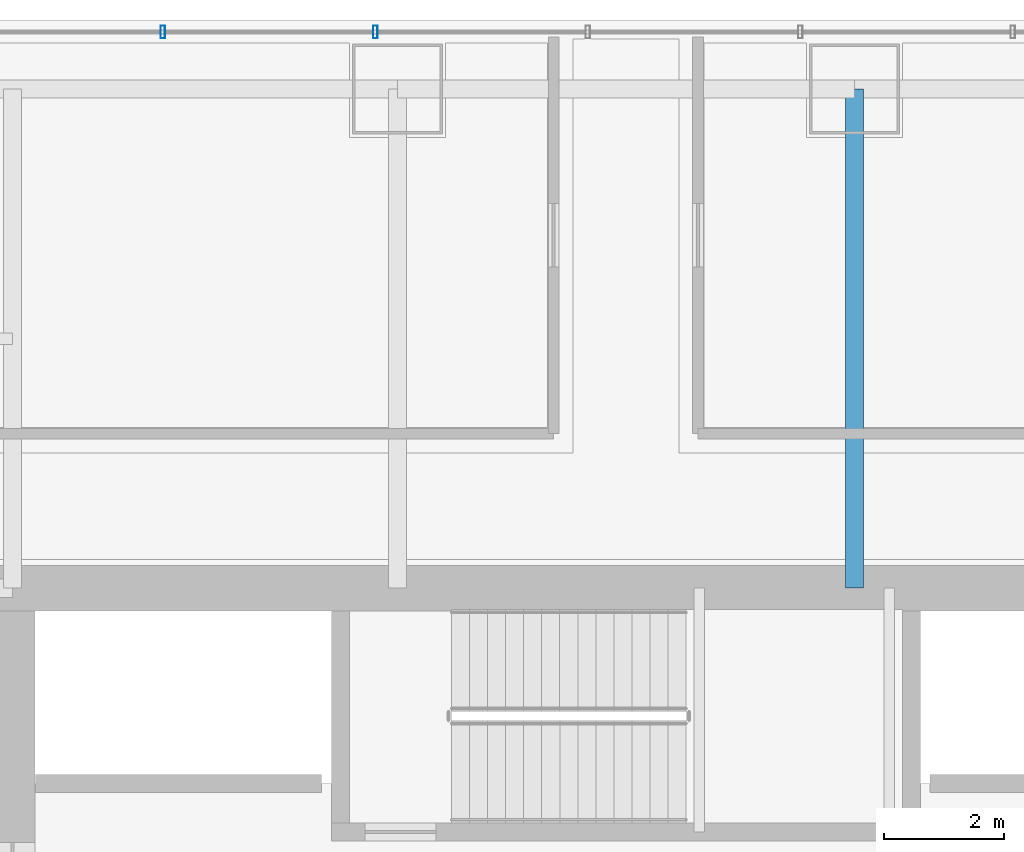
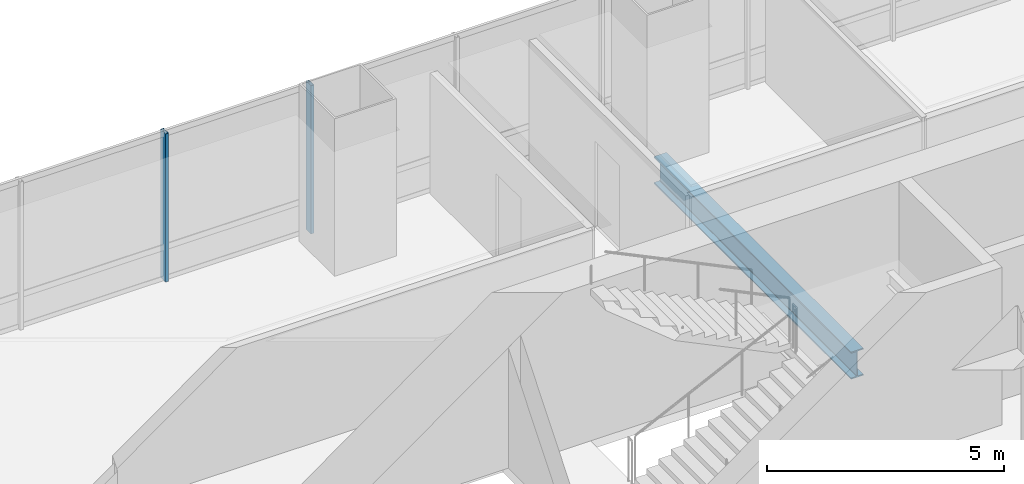
# One storey, part 21 of 36: 2 members, 1 beam, 1 element without a shape of its own.
"""IFC4 building model written with IfcOpenShell, lengths in metres."""

from ifc_helpers import new_model, si_unit, direction, frame, origin, origin_2d, place, context, subcontext, project, spatial, hollow_rectangle, i_section, extrude, material, material_profile, profile_set, type_object, element, aggregate, save


model = new_model("IFC4")

# Units and contexts
model_context = context("Model", 3, precision=1e-05, world=origin(), true_north=direction((0.0, 1.0)))
body_context = subcontext(model_context, "Body", "Model", "MODEL_VIEW")
ifc_project = project(units=[si_unit("LENGTHUNIT", "METRE"), si_unit("AREAUNIT", "SQUARE_METRE"), si_unit("VOLUMEUNIT", "CUBIC_METRE"), si_unit("PLANEANGLEUNIT", "RADIAN"), si_unit("MASSUNIT", "GRAM", prefix="KILO")], contexts=[model_context])

# Site, building, storey
site_placement = place(None, origin())
site = spatial("IfcSite", under=ifc_project, at=site_placement, CompositionType="ELEMENT")
building_placement = place(site_placement, origin())
building = spatial("IfcBuilding", under=site, at=building_placement, Name="Punatoya Terracotta Tower", CompositionType="ELEMENT")
storey_placement = place(building_placement, frame((0.0, 0.0, 36.300048828125)))
storey = spatial("IfcBuildingStorey", under=building, at=storey_placement, Name="L07", CompositionType="ELEMENT", Elevation=36.300048828125)

# Beam
ifc_material_1 = material(Name="Steel S355", Category="steel")
ifc_material_profile_1 = material_profile(ifc_material_1, i_section(OverallWidth=0.300048828125, OverallDepth=0.699951171875, WebThickness=0.01708984375, FlangeThickness=0.031982421875, FilletRadius=0.01806640625, at=origin_2d()))
ifc_profile_set_1 = profile_set([ifc_material_profile_1], Name="Steel S355")
beam_type = type_object("IfcBeamType", Name="BM-PRI-700", PredefinedType="BEAM", material=ifc_profile_set_1)
beam_placement = place(storey_placement, frame((3.800048828125, 9.199951171875, -0.590087890625), z_axis=(0.0, 1.0, 0.0), x_axis=(-1.0, 0.0, 0.0)))
element("IfcBeam", 1, at=beam_placement, inside=storey, type_object=beam_type, Name="BM-L07-PR-N3", PredefinedType="BEAM", context=body_context, shape_type="SweptSolid", body=[
    extrude(i_section(OverallWidth=0.300048828125, OverallDepth=0.699951171875, WebThickness=0.01708984375, FlangeThickness=0.031982421875, FilletRadius=0.01806640625, at=origin_2d()), origin(), (0.0, 0.0, 1.0), 8.300048828125),
])

# Curtain wall, members
ifc_material_2 = material(Name="Aluminium 6063-T6 + Double Low-E Glass", Category="aluminium")
curtain_wall_type = type_object("IfcCurtainWallType", Name="CW-M1", PredefinedType="NOTDEFINED", material=ifc_material_2)
curtain_wall_placement = place(storey_placement, origin())
curtain_wall = element("IfcCurtainWall", 2, at=curtain_wall_placement, inside=storey, type_object=curtain_wall_type, Name="L07 Curtain Wall CW-L07-N09-1", PredefinedType="NOTDEFINED")
ifc_material_3 = material(Name="Aluminium 6063-T6", Category="aluminium")
ifc_material_profile_2 = material_profile(ifc_material_3, hollow_rectangle(XDim=0.074951171875, YDim=0.2099609375, WallThickness=0.00439453125, at=origin_2d()))
ifc_profile_set_2 = profile_set([ifc_material_profile_2], Name="Aluminium 6063-T6")
member_type = type_object("IfcMemberType", Name="CW-MUL-M1", PredefinedType="MULLION", material=ifc_profile_set_2)
member_1_placement = place(storey_placement, frame((-4.1669921875, 18.449951171875, 0.0), z_axis=(0.0, 0.0, 1.0), x_axis=(1.0, 0.0, 0.0)))
member_1 = element("IfcMember", 3, at=member_1_placement, type_object=member_type, Name="CW-L07-N09-1 Mullion 06", PredefinedType="MULLION", context=body_context, shape_type="SweptSolid", body=[
    extrude(hollow_rectangle(XDim=0.074951171875, YDim=0.2099609375, WallThickness=0.00439453125, at=origin_2d()), origin(), (0.0, 0.0, 1.0), 3.81005859375),
])
member_2_placement = place(storey_placement, frame((-7.700927734375, 18.449951171875, 0.0), z_axis=(0.0, 0.0, 1.0), x_axis=(1.0, 0.0, 0.0)))
member_2 = element("IfcMember", 4, at=member_2_placement, type_object=member_type, Name="CW-L07-N09-1 Mullion 07", PredefinedType="MULLION", context=body_context, shape_type="SweptSolid", body=[
    extrude(hollow_rectangle(XDim=0.074951171875, YDim=0.2099609375, WallThickness=0.00439453125, at=origin_2d()), origin(), (0.0, 0.0, 1.0), 3.81005859375),
])
aggregate(curtain_wall, [member_1, member_2])

save(model, "model.ifc")
